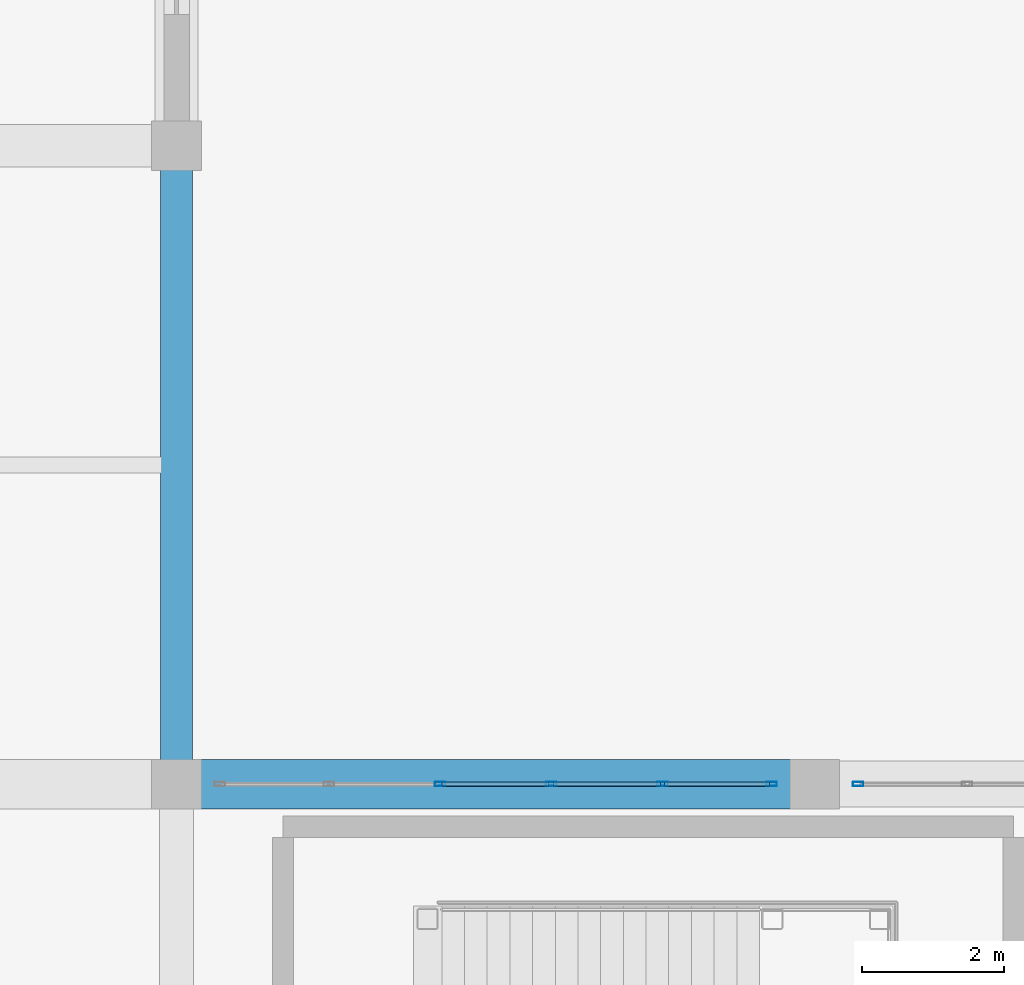
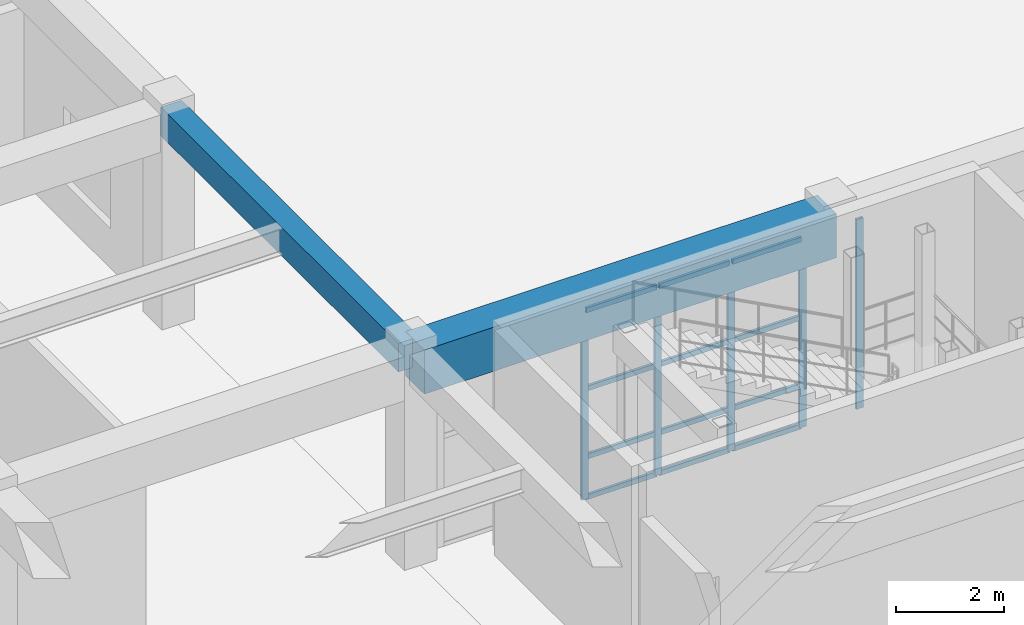
# One storey, part 43 of 128: 17 members, 2 beams, 2 elements without a shape of their own.
"""IFC4 building model written with IfcOpenShell, lengths in metres."""

from ifc_helpers import new_model, si_unit, direction, frame, origin, origin_2d, place, context, subcontext, project, spatial, rectangle, hollow_rectangle, extrude, material, material_profile, profile_set, type_object, element, aggregate, save


model = new_model("IFC4")

# Units and contexts
model_context = context("Model", 3, precision=1e-05, world=origin(), true_north=direction((0.0, 1.0)))
body_context = subcontext(model_context, "Body", "Model", "MODEL_VIEW")
ifc_project = project(units=[si_unit("LENGTHUNIT", "METRE"), si_unit("AREAUNIT", "SQUARE_METRE"), si_unit("VOLUMEUNIT", "CUBIC_METRE"), si_unit("PLANEANGLEUNIT", "RADIAN"), si_unit("MASSUNIT", "GRAM", prefix="KILO")], contexts=[model_context])

# Site, building, storey
site_placement = place(None, origin())
site = spatial("IfcSite", under=ifc_project, at=site_placement, CompositionType="ELEMENT")
building_placement = place(site_placement, origin())
building = spatial("IfcBuilding", under=site, at=building_placement, Name="Miravela Opera House", CompositionType="ELEMENT")
storey_placement = place(building_placement, origin())
storey = spatial("IfcBuildingStorey", under=building, at=storey_placement, Name="L00", CompositionType="ELEMENT", Elevation=0.0)

# Curtain wall, members
ifc_material_1 = material(Name="Anodised architectural bronze aluminium 6063-T6", Category="aluminium")
curtain_wall_type = type_object("IfcCurtainWallType", Name="ARC-CW-06", PredefinedType="NOTDEFINED", material=ifc_material_1)
curtain_wall_1_placement = place(storey_placement, origin())
curtain_wall_1 = element("IfcCurtainWall", 1, at=curtain_wall_1_placement, inside=storey, type_object=curtain_wall_type, Name="Courtyard Arcade Curtain Wall CW-L00-159", PredefinedType="NOTDEFINED")
ifc_material_profile_1 = material_profile(ifc_material_1, hollow_rectangle(XDim=0.06005859375, YDim=0.14990234375, WallThickness=0.00390625, InnerFilletRadius=0.001953125, OuterFilletRadius=0.00390625, at=origin_2d()), Name="CWM-60X150")
ifc_profile_set_1 = profile_set([ifc_material_profile_1])
member_type_1 = type_object("IfcMemberType", Name="ARC-CWM-150", PredefinedType="MULLION", material=ifc_profile_set_1)
member_1_placement = place(storey_placement, frame((120.716064453125, 9.0, 0.0), z_axis=(0.0, 0.0, 1.0), x_axis=(0.0, 1.0, 0.0)))
member_1 = element("IfcMember", 2, at=member_1_placement, type_object=member_type_1, Name="CW-06 mullion 3", PredefinedType="MULLION", context=body_context, shape_type="SweptSolid", body=[
    extrude(hollow_rectangle(XDim=0.06005859375, YDim=0.14990234375, WallThickness=0.00390625, InnerFilletRadius=0.001953125, OuterFilletRadius=0.00390625, at=origin_2d()), origin(), (0.0, 0.0, 1.0), 4.300048828125),
])
member_2_placement = place(storey_placement, frame((122.283935546875, 9.0, 0.0), z_axis=(0.0, 0.0, 1.0), x_axis=(0.0, 1.0, 0.0)))
member_2 = element("IfcMember", 3, at=member_2_placement, type_object=member_type_1, Name="CW-06 mullion 4", PredefinedType="MULLION", context=body_context, shape_type="SweptSolid", body=[
    extrude(hollow_rectangle(XDim=0.06005859375, YDim=0.14990234375, WallThickness=0.00390625, InnerFilletRadius=0.001953125, OuterFilletRadius=0.00390625, at=origin_2d()), origin(), (0.0, 0.0, 1.0), 4.300048828125),
])
member_3_placement = place(storey_placement, frame((123.85205078125, 9.0, 0.0), z_axis=(0.0, 0.0, 1.0), x_axis=(0.0, 1.0, 0.0)))
member_3 = element("IfcMember", 4, at=member_3_placement, type_object=member_type_1, Name="CW-06 mullion 5", PredefinedType="MULLION", context=body_context, shape_type="SweptSolid", body=[
    extrude(hollow_rectangle(XDim=0.06005859375, YDim=0.14990234375, WallThickness=0.00390625, InnerFilletRadius=0.001953125, OuterFilletRadius=0.00390625, at=origin_2d()), origin(), (0.0, 0.0, 1.0), 4.300048828125),
])
member_4_placement = place(storey_placement, frame((125.389892578125, 9.0, 0.0), z_axis=(0.0, 0.0, 1.0), x_axis=(0.0, 1.0, 0.0)))
member_4 = element("IfcMember", 5, at=member_4_placement, type_object=member_type_1, Name="CW-06 mullion 6", PredefinedType="MULLION", context=body_context, shape_type="SweptSolid", body=[
    extrude(hollow_rectangle(XDim=0.06005859375, YDim=0.14990234375, WallThickness=0.00390625, InnerFilletRadius=0.001953125, OuterFilletRadius=0.00390625, at=origin_2d()), origin(), (0.0, 0.0, 1.0), 4.300048828125),
])

# Curtain wall, member
curtain_wall_2_placement = place(storey_placement, origin())
curtain_wall_2 = element("IfcCurtainWall", 6, at=curtain_wall_2_placement, inside=storey, type_object=curtain_wall_type, Name="Courtyard Arcade Curtain Wall CW-L00-163", PredefinedType="NOTDEFINED")
member_5_placement = place(storey_placement, frame((126.610107421875, 9.0, 0.0), z_axis=(0.0, 0.0, 1.0), x_axis=(0.0, 1.0, 0.0)))
member_5 = element("IfcMember", 7, at=member_5_placement, type_object=member_type_1, Name="CW-06 mullion 1", PredefinedType="MULLION", context=body_context, shape_type="SweptSolid", body=[
    extrude(hollow_rectangle(XDim=0.06005859375, YDim=0.14990234375, WallThickness=0.00390625, InnerFilletRadius=0.001953125, OuterFilletRadius=0.00390625, at=origin_2d()), origin(), (0.0, 0.0, 1.0), 4.300048828125),
])
aggregate(curtain_wall_2, [member_5])

# Member
ifc_material_profile_2 = material_profile(ifc_material_1, hollow_rectangle(XDim=0.06005859375, YDim=0.114990234375, WallThickness=0.00390625, InnerFilletRadius=0.001953125, OuterFilletRadius=0.00390625, at=origin_2d()), Name="CWT-60X115")
ifc_profile_set_2 = profile_set([ifc_material_profile_2])
member_type_2 = type_object("IfcMemberType", Name="ARC-CWT-115", PredefinedType="USERDEFINED", material=ifc_profile_set_2)
member_6_placement = place(storey_placement, frame((120.74609375, 9.0, 0.030029296875), z_axis=(1.0, 0.0, 0.0), x_axis=(0.0, 1.0, 0.0)))
member_6 = element("IfcMember", 8, at=member_6_placement, type_object=member_type_2, Name="CW-06 transom 3.1", ObjectType="TRANSOM", PredefinedType="USERDEFINED", context=body_context, shape_type="SweptSolid", body=[
    extrude(hollow_rectangle(XDim=0.06005859375, YDim=0.114990234375, WallThickness=0.00390625, InnerFilletRadius=0.001953125, OuterFilletRadius=0.00390625, at=origin_2d()), origin(), (0.0, 0.0, 1.0), 1.5078125),
])

member_7_placement = place(storey_placement, frame((120.74609375, 9.0, 0.949951171875), z_axis=(1.0, 0.0, 0.0), x_axis=(0.0, 1.0, 0.0)))
member_7 = element("IfcMember", 9, at=member_7_placement, type_object=member_type_2, Name="CW-06 transom 3.2", ObjectType="TRANSOM", PredefinedType="USERDEFINED", context=body_context, shape_type="SweptSolid", body=[
    extrude(hollow_rectangle(XDim=0.06005859375, YDim=0.114990234375, WallThickness=0.00390625, InnerFilletRadius=0.001953125, OuterFilletRadius=0.00390625, at=origin_2d()), origin(), (0.0, 0.0, 1.0), 1.5078125),
])

member_8_placement = place(storey_placement, frame((120.74609375, 9.0, 2.493896484375), z_axis=(1.0, 0.0, 0.0), x_axis=(0.0, 1.0, 0.0)))
member_8 = element("IfcMember", 10, at=member_8_placement, type_object=member_type_2, Name="CW-06 transom 3.3", ObjectType="TRANSOM", PredefinedType="USERDEFINED", context=body_context, shape_type="SweptSolid", body=[
    extrude(hollow_rectangle(XDim=0.06005859375, YDim=0.114990234375, WallThickness=0.00390625, InnerFilletRadius=0.001953125, OuterFilletRadius=0.00390625, at=origin_2d()), origin(), (0.0, 0.0, 1.0), 1.5078125),
])

member_9_placement = place(storey_placement, frame((120.74609375, 9.0, 4.27001953125), z_axis=(1.0, 0.0, 0.0), x_axis=(0.0, 1.0, 0.0)))
member_9 = element("IfcMember", 11, at=member_9_placement, type_object=member_type_2, Name="CW-06 transom 3.4", ObjectType="TRANSOM", PredefinedType="USERDEFINED", context=body_context, shape_type="SweptSolid", body=[
    extrude(hollow_rectangle(XDim=0.06005859375, YDim=0.114990234375, WallThickness=0.00390625, InnerFilletRadius=0.001953125, OuterFilletRadius=0.00390625, at=origin_2d()), origin(), (0.0, 0.0, 1.0), 1.5078125),
])

member_10_placement = place(storey_placement, frame((122.31396484375, 9.0, 0.030029296875), z_axis=(1.0, 0.0, 0.0), x_axis=(0.0, 1.0, 0.0)))
member_10 = element("IfcMember", 12, at=member_10_placement, type_object=member_type_2, Name="CW-06 transom 4.1", ObjectType="TRANSOM", PredefinedType="USERDEFINED", context=body_context, shape_type="SweptSolid", body=[
    extrude(hollow_rectangle(XDim=0.06005859375, YDim=0.114990234375, WallThickness=0.00390625, InnerFilletRadius=0.001953125, OuterFilletRadius=0.00390625, at=origin_2d()), origin(), (0.0, 0.0, 1.0), 1.508056640625),
])

member_11_placement = place(storey_placement, frame((122.31396484375, 9.0, 0.949951171875), z_axis=(1.0, 0.0, 0.0), x_axis=(0.0, 1.0, 0.0)))
member_11 = element("IfcMember", 13, at=member_11_placement, type_object=member_type_2, Name="CW-06 transom 4.2", ObjectType="TRANSOM", PredefinedType="USERDEFINED", context=body_context, shape_type="SweptSolid", body=[
    extrude(hollow_rectangle(XDim=0.06005859375, YDim=0.114990234375, WallThickness=0.00390625, InnerFilletRadius=0.001953125, OuterFilletRadius=0.00390625, at=origin_2d()), origin(), (0.0, 0.0, 1.0), 1.508056640625),
])

member_12_placement = place(storey_placement, frame((122.31396484375, 9.0, 2.493896484375), z_axis=(1.0, 0.0, 0.0), x_axis=(0.0, 1.0, 0.0)))
member_12 = element("IfcMember", 14, at=member_12_placement, type_object=member_type_2, Name="CW-06 transom 4.3", ObjectType="TRANSOM", PredefinedType="USERDEFINED", context=body_context, shape_type="SweptSolid", body=[
    extrude(hollow_rectangle(XDim=0.06005859375, YDim=0.114990234375, WallThickness=0.00390625, InnerFilletRadius=0.001953125, OuterFilletRadius=0.00390625, at=origin_2d()), origin(), (0.0, 0.0, 1.0), 1.508056640625),
])

member_13_placement = place(storey_placement, frame((122.31396484375, 9.0, 4.27001953125), z_axis=(1.0, 0.0, 0.0), x_axis=(0.0, 1.0, 0.0)))
member_13 = element("IfcMember", 15, at=member_13_placement, type_object=member_type_2, Name="CW-06 transom 4.4", ObjectType="TRANSOM", PredefinedType="USERDEFINED", context=body_context, shape_type="SweptSolid", body=[
    extrude(hollow_rectangle(XDim=0.06005859375, YDim=0.114990234375, WallThickness=0.00390625, InnerFilletRadius=0.001953125, OuterFilletRadius=0.00390625, at=origin_2d()), origin(), (0.0, 0.0, 1.0), 1.508056640625),
])

member_14_placement = place(storey_placement, frame((123.882080078125, 9.0, 0.030029296875), z_axis=(1.0, 0.0, 0.0), x_axis=(0.0, 1.0, 0.0)))
member_14 = element("IfcMember", 16, at=member_14_placement, type_object=member_type_2, Name="CW-06 transom 5.1", ObjectType="TRANSOM", PredefinedType="USERDEFINED", context=body_context, shape_type="SweptSolid", body=[
    extrude(hollow_rectangle(XDim=0.06005859375, YDim=0.114990234375, WallThickness=0.00390625, InnerFilletRadius=0.001953125, OuterFilletRadius=0.00390625, at=origin_2d()), origin(), (0.0, 0.0, 1.0), 1.47802734375),
])

member_15_placement = place(storey_placement, frame((123.882080078125, 9.0, 0.949951171875), z_axis=(1.0, 0.0, 0.0), x_axis=(0.0, 1.0, 0.0)))
member_15 = element("IfcMember", 17, at=member_15_placement, type_object=member_type_2, Name="CW-06 transom 5.2", ObjectType="TRANSOM", PredefinedType="USERDEFINED", context=body_context, shape_type="SweptSolid", body=[
    extrude(hollow_rectangle(XDim=0.06005859375, YDim=0.114990234375, WallThickness=0.00390625, InnerFilletRadius=0.001953125, OuterFilletRadius=0.00390625, at=origin_2d()), origin(), (0.0, 0.0, 1.0), 1.47802734375),
])

member_16_placement = place(storey_placement, frame((123.882080078125, 9.0, 2.493896484375), z_axis=(1.0, 0.0, 0.0), x_axis=(0.0, 1.0, 0.0)))
member_16 = element("IfcMember", 18, at=member_16_placement, type_object=member_type_2, Name="CW-06 transom 5.3", ObjectType="TRANSOM", PredefinedType="USERDEFINED", context=body_context, shape_type="SweptSolid", body=[
    extrude(hollow_rectangle(XDim=0.06005859375, YDim=0.114990234375, WallThickness=0.00390625, InnerFilletRadius=0.001953125, OuterFilletRadius=0.00390625, at=origin_2d()), origin(), (0.0, 0.0, 1.0), 1.47802734375),
])

member_17_placement = place(storey_placement, frame((123.882080078125, 9.0, 4.27001953125), z_axis=(1.0, 0.0, 0.0), x_axis=(0.0, 1.0, 0.0)))
member_17 = element("IfcMember", 19, at=member_17_placement, type_object=member_type_2, Name="CW-06 transom 5.4", ObjectType="TRANSOM", PredefinedType="USERDEFINED", context=body_context, shape_type="SweptSolid", body=[
    extrude(hollow_rectangle(XDim=0.06005859375, YDim=0.114990234375, WallThickness=0.00390625, InnerFilletRadius=0.001953125, OuterFilletRadius=0.00390625, at=origin_2d()), origin(), (0.0, 0.0, 1.0), 1.47802734375),
])

aggregate(curtain_wall_1, [member_1, member_2, member_3, member_4, member_6, member_7, member_8, member_9, member_10, member_11, member_12, member_13, member_14, member_15, member_16, member_17])

# Beams
ifc_material_2 = material(Name="Concrete C35/45", Category="concrete")
ifc_material_profile_3 = material_profile(ifc_material_2, rectangle(XDim=0.449951171875, YDim=0.64990234375, at=origin_2d()), Name="RC-BM-450X650")
ifc_profile_set_3 = profile_set([ifc_material_profile_3])
beam_type_1 = type_object("IfcBeamType", Name="STR-BM-RC450X650", PredefinedType="BEAM", material=ifc_profile_set_3)
beam_1_placement = place(storey_placement, frame((117.0, 9.080078125, 4.52490234375), z_axis=(0.0, 1.0, 0.0), x_axis=(-1.0, 0.0, 0.0)))
element("IfcBeam", 20, at=beam_1_placement, inside=storey, type_object=beam_type_1, Name="Floor Girder L00 14/B-C", PredefinedType="BEAM", context=body_context, shape_type="SweptSolid", body=[
    extrude(rectangle(XDim=0.449951171875, YDim=0.64990234375, at=origin_2d()), origin(), (0.0, 0.0, 1.0), 8.83984375),
])
ifc_material_3 = material(Name="Concrete C40/50", Category="concrete")
ifc_material_profile_4 = material_profile(ifc_material_3, rectangle(XDim=0.699951171875, YDim=1.0, at=origin_2d()), Name="RC-BM-700X1000")
ifc_profile_set_4 = profile_set([ifc_material_profile_4])
beam_type_2 = type_object("IfcBeamType", Name="STR-BM-RC700X1000", PredefinedType="BEAM", material=ifc_profile_set_4)
beam_2_placement = place(storey_placement, frame((117.080078125, 9.0, 4.35009765625), z_axis=(1.0, 0.0, 0.0), x_axis=(0.0, 1.0, 0.0)))
element("IfcBeam", 21, at=beam_2_placement, inside=storey, type_object=beam_type_2, Name="Floor Girder L00 14-15/B", PredefinedType="BEAM", context=body_context, shape_type="SweptSolid", body=[
    extrude(rectangle(XDim=0.699951171875, YDim=1.0, at=origin_2d()), origin(), (0.0, 0.0, 1.0), 8.83984375),
])

save(model, "model.ifc")
